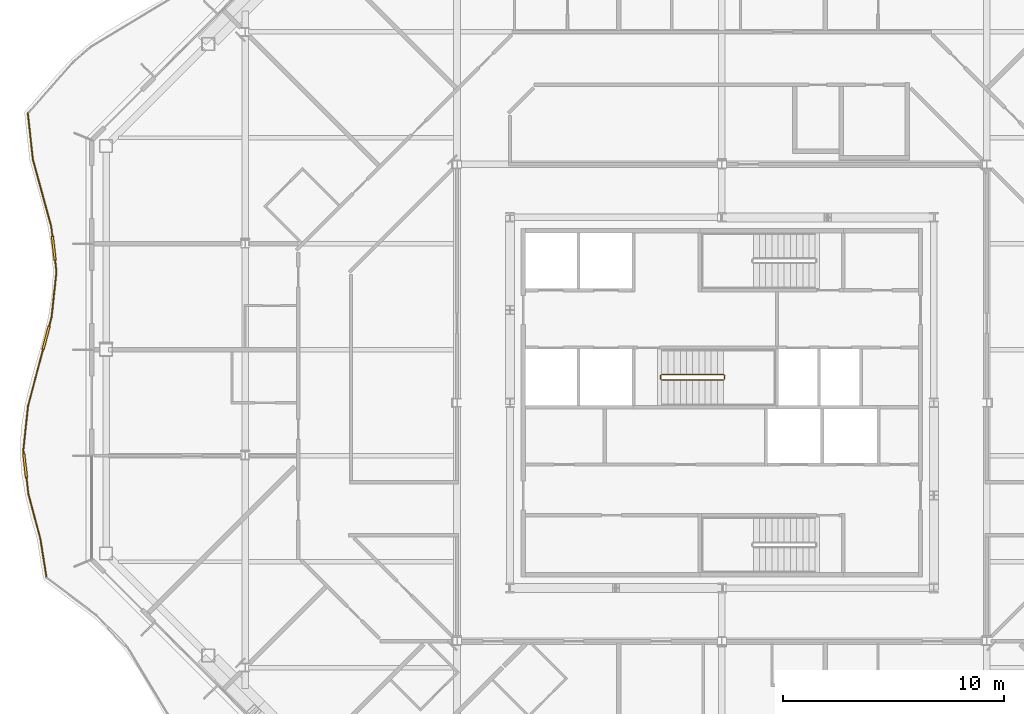
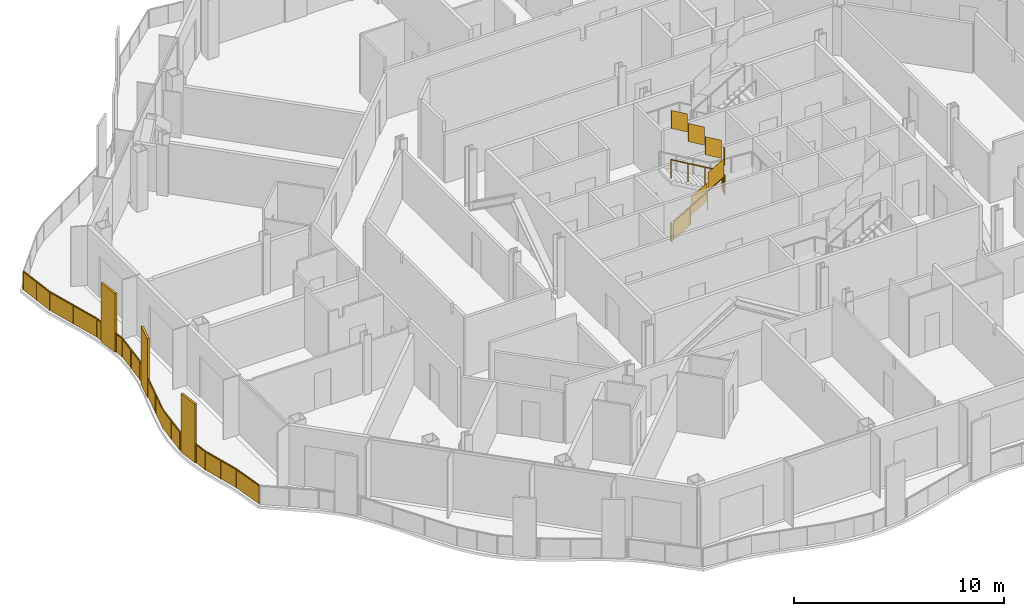
# One storey, part 16 of 21: 3 railings.
"""IFC4 building model written with IfcOpenShell, lengths in metres."""

from ifc_helpers import new_model, si_unit, direction, frame, origin, origin_2d, place, context, subcontext, project, spatial, polyline, rectangle, outline, extrude, material, type_object, element, save


model = new_model("IFC4")

# Units and contexts
model_context = context("Model", 3, precision=1e-05, world=origin(), true_north=direction((0.0, 1.0)))
body_context = subcontext(model_context, "Body", "Model", "MODEL_VIEW")
ifc_project = project(units=[si_unit("LENGTHUNIT", "METRE"), si_unit("AREAUNIT", "SQUARE_METRE"), si_unit("VOLUMEUNIT", "CUBIC_METRE"), si_unit("PLANEANGLEUNIT", "RADIAN"), si_unit("MASSUNIT", "GRAM", prefix="KILO")], contexts=[model_context])

# Site, building, storey
site_placement = place(None, origin())
site = spatial("IfcSite", under=ifc_project, at=site_placement, CompositionType="ELEMENT")
building_placement = place(site_placement, origin())
building = spatial("IfcBuilding", under=site, at=building_placement, Name="Cairn Pilgrim Tower", CompositionType="ELEMENT")
storey_placement = place(building_placement, frame((0.0, 0.0, 154.199951171875)))
storey = spatial("IfcBuildingStorey", under=building, at=storey_placement, Name="L38", CompositionType="ELEMENT", Elevation=154.199951171875)

# Railings
ifc_material_1 = material(Name="Bronze anodised aluminium rail, posts and fin screens with laminated glass infill", Category="aluminium")
railing_type_1 = type_object("IfcRailingType", Name="BALCONY GUARD WITH FIN SCREENS", PredefinedType="GUARDRAIL", material=ifc_material_1)
railing_1_placement = place(storey_placement, frame((-24.24560546875, 15.510986328125, 0.0)))
element("IfcRailing", 1, at=railing_1_placement, inside=storey, type_object=railing_type_1, Name="Balcony guard BGF-7 with fin screens", PredefinedType="GUARDRAIL", context=body_context, shape_type="SweptSolid", body=[
    extrude(rectangle(XDim=0.050048828125, YDim=0.050048828125, at=origin_2d()), frame((0.0, 0.0, 1.0751953125), z_axis=(0.109553527887, -0.993980897466, 0.0), x_axis=(0.993980897466, 0.109553527887, 0.0)), (0.0, 0.0, 1.0), 2.10595703125),
    extrude(rectangle(XDim=0.050048828125, YDim=0.050048828125, at=origin_2d()), frame((0.230712890625, -2.09326171875, 1.0751953125), z_axis=(0.263899558206, -0.964550166232, 0.0), x_axis=(0.964550166232, 0.263899558206, 0.0)), (0.0, 0.0, 1.0), 3.142578125),
    extrude(rectangle(XDim=1.10009765625, YDim=0.110107421875, at=origin_2d()), frame((1.173583984375, -6.109619140625, 0.0), z_axis=(0.0, 0.0, 1.0), x_axis=(0.11457468943, -0.993414636766, 0.0)), (0.0, 0.0, 1.0), 3.39990234375),
    extrude(rectangle(XDim=0.050048828125, YDim=0.050048828125, at=origin_2d()), frame((1.06005859375, -5.12451171875, 1.0751953125), z_axis=(0.11457468943, -0.993414636766, 0.0), x_axis=(0.993414636766, 0.11457468943, 0.0)), (0.0, 0.0, 1.0), 0.441650390625),
    extrude(rectangle(XDim=0.050048828125, YDim=0.050048828125, at=origin_2d()), frame((1.236572265625, -6.656005859375, 1.0751953125), z_axis=(0.11457468943, -0.993414636766, 0.0), x_axis=(0.993414636766, 0.11457468943, 0.0)), (0.0, 0.0, 1.0), 0.52099609375),
    extrude(rectangle(XDim=0.050048828125, YDim=0.050048828125, at=origin_2d()), frame((1.29638671875, -7.173583984375, 1.0751953125), z_axis=(-0.105813476413, -0.994385995582, 0.0), x_axis=(0.994385995582, -0.105813476413, 0.0)), (0.0, 0.0, 1.0), 2.060302734375),
    extrude(rectangle(XDim=1.10009765625, YDim=0.110107421875, at=origin_2d()), frame((0.8291015625, -10.164306640625, 0.0), z_axis=(0.0, 0.0, 1.0), x_axis=(-0.255743304521, -0.966744724419, 0.0)), (0.0, 0.0, 1.0), 3.39990234375),
    extrude(rectangle(XDim=0.050048828125, YDim=0.050048828125, at=origin_2d()), frame((1.078369140625, -9.222412109375, 1.0751953125), z_axis=(-0.255743304521, -0.966744724419, 0.0), x_axis=(0.966744724419, -0.255743304521, 0.0)), (0.0, 0.0, 1.0), 0.42431640625),
    extrude(rectangle(XDim=0.050048828125, YDim=0.050048828125, at=origin_2d()), frame((0.6884765625, -10.696044921875, 1.0751953125), z_axis=(-0.255743304521, -0.966744724419, 0.0), x_axis=(0.966744724419, -0.255743304521, 0.0)), (0.0, 0.0, 1.0), 2.656982421875),
    extrude(rectangle(XDim=0.050048828125, YDim=0.050048828125, at=origin_2d()), frame((0.009033203125, -13.2646484375, 1.0751953125), z_axis=(-0.105965426118, -0.994369814741, 0.0), x_axis=(0.994369814741, -0.105965426118, 0.0)), (0.0, 0.0, 1.0), 2.00439453125),
    extrude(rectangle(XDim=1.10009765625, YDim=0.110107421875, at=origin_2d()), frame((-0.123291015625, -15.953125, 0.0), z_axis=(0.0, 0.0, 1.0), x_axis=(0.114370106332, -0.99343821085, 0.0)), (0.0, 0.0, 1.0), 3.39990234375),
    extrude(rectangle(XDim=0.050048828125, YDim=0.050048828125, at=origin_2d()), frame((-0.203369140625, -15.2578125, 1.0751953125), z_axis=(0.114370106332, -0.99343821085, 0.0), x_axis=(0.99343821085, 0.114370106332, 0.0)), (0.0, 0.0, 1.0), 0.14990234375),
    extrude(rectangle(XDim=0.050048828125, YDim=0.050048828125, at=origin_2d()), frame((-0.060302734375, -16.49951171875, 1.0751953125), z_axis=(0.114370106332, -0.99343821085, 0.0), x_axis=(0.99343821085, 0.114370106332, 0.0)), (0.0, 0.0, 1.0), 0.756591796875),
    extrude(rectangle(XDim=0.050048828125, YDim=0.050048828125, at=origin_2d()), frame((0.026123046875, -17.251220703125, 1.0751953125), z_axis=(0.258942455174, -0.96589275021, 0.0), x_axis=(0.96589275021, 0.258942455174, 0.0)), (0.0, 0.0, 1.0), 2.08935546875),
    extrude(rectangle(XDim=0.050048828125, YDim=0.050048828125, at=origin_2d()), frame((0.567138671875, -19.269287109375, 1.0751953125), z_axis=(0.156697348291, -0.987646668115, 0.0), x_axis=(0.987646668115, 0.156697348291, 0.0)), (0.0, 0.0, 1.0), 1.72314453125),
    extrude(rectangle(XDim=0.050048828125, YDim=0.050048828125, at=origin_2d()), origin(), (0.0, 0.0, 1.0), 1.050048828125),
    extrude(rectangle(XDim=0.050048828125, YDim=0.050048828125, at=origin_2d()), frame((0.115234375, -1.046630859375, 0.0)), (0.0, 0.0, 1.0), 1.050048828125),
    extrude(rectangle(XDim=0.050048828125, YDim=0.050048828125, at=origin_2d()), frame((0.230712890625, -2.09326171875, 0.0)), (0.0, 0.0, 1.0), 1.050048828125),
    extrude(rectangle(XDim=0.050048828125, YDim=0.050048828125, at=origin_2d()), frame((0.6455078125, -3.60888671875, 0.0)), (0.0, 0.0, 1.0), 1.050048828125),
    extrude(rectangle(XDim=0.050048828125, YDim=0.050048828125, at=origin_2d()), frame((1.06005859375, -5.12451171875, 0.0)), (0.0, 0.0, 1.0), 1.050048828125),
    extrude(rectangle(XDim=0.050048828125, YDim=0.050048828125, at=origin_2d()), frame((1.10791015625, -5.538330078125, 0.0)), (0.0, 0.0, 1.0), 1.050048828125),
    extrude(rectangle(XDim=0.050048828125, YDim=0.050048828125, at=origin_2d()), frame((1.239501953125, -6.680908203125, 0.0)), (0.0, 0.0, 1.0), 1.050048828125),
    extrude(rectangle(XDim=0.050048828125, YDim=0.050048828125, at=origin_2d()), frame((1.29638671875, -7.173583984375, 0.0)), (0.0, 0.0, 1.0), 1.050048828125),
    extrude(rectangle(XDim=0.050048828125, YDim=0.050048828125, at=origin_2d()), frame((1.1875, -8.197998046875, 0.0)), (0.0, 0.0, 1.0), 1.050048828125),
    extrude(rectangle(XDim=0.050048828125, YDim=0.050048828125, at=origin_2d()), frame((1.078369140625, -9.222412109375, 0.0)), (0.0, 0.0, 1.0), 1.050048828125),
    extrude(rectangle(XDim=0.050048828125, YDim=0.050048828125, at=origin_2d()), frame((0.976318359375, -9.6083984375, 0.0)), (0.0, 0.0, 1.0), 1.050048828125),
    extrude(rectangle(XDim=0.050048828125, YDim=0.050048828125, at=origin_2d()), frame((0.68212890625, -10.72021484375, 0.0)), (0.0, 0.0, 1.0), 1.050048828125),
    extrude(rectangle(XDim=0.050048828125, YDim=0.050048828125, at=origin_2d()), frame((0.345458984375, -11.992431640625, 0.0)), (0.0, 0.0, 1.0), 1.050048828125),
    extrude(rectangle(XDim=0.050048828125, YDim=0.050048828125, at=origin_2d()), frame((0.009033203125, -13.2646484375, 0.0)), (0.0, 0.0, 1.0), 1.050048828125),
    extrude(rectangle(XDim=0.050048828125, YDim=0.050048828125, at=origin_2d()), frame((-0.09716796875, -14.26123046875, 0.0)), (0.0, 0.0, 1.0), 1.050048828125),
    extrude(rectangle(XDim=0.050048828125, YDim=0.050048828125, at=origin_2d()), frame((-0.203369140625, -15.2578125, 0.0)), (0.0, 0.0, 1.0), 1.050048828125),
    extrude(rectangle(XDim=0.050048828125, YDim=0.050048828125, at=origin_2d()), frame((-0.18896484375, -15.382080078125, 0.0)), (0.0, 0.0, 1.0), 1.050048828125),
    extrude(rectangle(XDim=0.050048828125, YDim=0.050048828125, at=origin_2d()), frame((-0.0576171875, -16.5244140625, 0.0)), (0.0, 0.0, 1.0), 1.050048828125),
    extrude(rectangle(XDim=0.050048828125, YDim=0.050048828125, at=origin_2d()), frame((0.026123046875, -17.251220703125, 0.0)), (0.0, 0.0, 1.0), 1.050048828125),
    extrude(rectangle(XDim=0.050048828125, YDim=0.050048828125, at=origin_2d()), frame((0.296630859375, -18.26025390625, 0.0)), (0.0, 0.0, 1.0), 1.050048828125),
    extrude(rectangle(XDim=0.050048828125, YDim=0.050048828125, at=origin_2d()), frame((0.567138671875, -19.269287109375, 0.0)), (0.0, 0.0, 1.0), 1.050048828125),
    extrude(rectangle(XDim=0.050048828125, YDim=0.050048828125, at=origin_2d()), frame((0.837158203125, -20.97119140625, 0.0)), (0.0, 0.0, 1.0), 1.050048828125),
    extrude(outline(polyline([(0.02490234375, 0.0), (1.02783203125, 0.0), (1.02783203125, 1.050048828125), (0.02490234375, 1.050048828125), (0.02490234375, 0.0)])), frame((0.005859375, 0.000732421875, 0.0), z_axis=(-0.993980897466, -0.109553527887, 0.0), x_axis=(0.109553527887, -0.993980897466, 0.0)), (0.0, 0.0, 1.0), 0.011962890625),
    extrude(outline(polyline([(0.02490234375, 0.0), (1.02783203125, 0.0), (1.02783203125, 1.050048828125), (0.02490234375, 1.050048828125), (0.02490234375, 0.0)])), frame((0.121337890625, -1.0458984375, 0.0), z_axis=(-0.993980897466, -0.109553527887, 0.0), x_axis=(0.109553527887, -0.993980897466, 0.0)), (0.0, 0.0, 1.0), 0.011962890625),
    extrude(outline(polyline([(0.02490234375, 0.0), (1.54638671875, 0.0), (1.54638671875, 1.050048828125), (0.02490234375, 1.050048828125), (0.02490234375, 0.0)])), frame((0.236572265625, -2.091796875, 0.0), z_axis=(-0.964550166232, -0.263899558206, 0.0), x_axis=(0.263899558206, -0.964550166232, 0.0)), (0.0, 0.0, 1.0), 0.011962890625),
    extrude(outline(polyline([(0.02490234375, 0.0), (1.54638671875, 0.0), (1.54638671875, 1.050048828125), (0.02490234375, 1.050048828125), (0.02490234375, 0.0)])), frame((0.651123046875, -3.607421875, 0.0), z_axis=(-0.964550166232, -0.263899558206, 0.0), x_axis=(0.263899558206, -0.964550166232, 0.0)), (0.0, 0.0, 1.0), 0.011962890625),
    extrude(outline(polyline([(0.02490234375, 0.0), (0.3916015625, 0.0), (0.3916015625, 1.050048828125), (0.02490234375, 1.050048828125), (0.02490234375, 0.0)])), frame((1.06591796875, -5.123779296875, 0.0), z_axis=(-0.993414636766, -0.11457468943, 0.0), x_axis=(0.11457468943, -0.993414636766, 0.0)), (0.0, 0.0, 1.0), 0.011962890625),
    extrude(outline(polyline([(0.02490234375, 0.0), (0.470947265625, 0.0), (0.470947265625, 1.050048828125), (0.02490234375, 1.050048828125), (0.02490234375, 0.0)])), frame((1.24560546875, -6.68017578125, 0.0), z_axis=(-0.993414636766, -0.11457468943, 0.0), x_axis=(0.11457468943, -0.993414636766, 0.0)), (0.0, 0.0, 1.0), 0.011962890625),
    extrude(outline(polyline([(0.02490234375, 0.0), (1.005126953125, 0.0), (1.005126953125, 1.050048828125), (0.02490234375, 1.050048828125), (0.02490234375, 0.0)])), frame((1.30224609375, -7.17431640625, 0.0), z_axis=(-0.994385995582, 0.105813476413, 0.0), x_axis=(-0.105813476413, -0.994385995582, 0.0)), (0.0, 0.0, 1.0), 0.011962890625),
    extrude(outline(polyline([(0.02490234375, 0.0), (1.005126953125, 0.0), (1.005126953125, 1.050048828125), (0.02490234375, 1.050048828125), (0.02490234375, 0.0)])), frame((1.193359375, -8.19873046875, 0.0), z_axis=(-0.994385995582, 0.105813476413, 0.0), x_axis=(-0.105813476413, -0.994385995582, 0.0)), (0.0, 0.0, 1.0), 0.011962890625),
    extrude(outline(polyline([(0.02490234375, 0.0), (0.374267578125, 0.0), (0.374267578125, 1.050048828125), (0.02490234375, 1.050048828125), (0.02490234375, 0.0)])), frame((1.084228515625, -9.223876953125, 0.0), z_axis=(-0.966744724419, 0.255743304521, 0.0), x_axis=(-0.255743304521, -0.966744724419, 0.0)), (0.0, 0.0, 1.0), 0.011962890625),
    extrude(outline(polyline([(0.02490234375, 0.0), (1.291015625, 0.0), (1.291015625, 1.050048828125), (0.02490234375, 1.050048828125), (0.02490234375, 0.0)])), frame((0.68798828125, -10.7216796875, 0.0), z_axis=(-0.966744724419, 0.255743304521, 0.0), x_axis=(-0.255743304521, -0.966744724419, 0.0)), (0.0, 0.0, 1.0), 0.011962890625),
    extrude(outline(polyline([(0.02490234375, 0.0), (1.291015625, 0.0), (1.291015625, 1.050048828125), (0.02490234375, 1.050048828125), (0.02490234375, 0.0)])), frame((0.351318359375, -11.993896484375, 0.0), z_axis=(-0.966744724419, 0.255743304521, 0.0), x_axis=(-0.255743304521, -0.966744724419, 0.0)), (0.0, 0.0, 1.0), 0.011962890625),
    extrude(outline(polyline([(0.02490234375, 0.0), (0.977294921875, 0.0), (0.977294921875, 1.050048828125), (0.02490234375, 1.050048828125), (0.02490234375, 0.0)])), frame((0.014892578125, -13.265380859375, 0.0), z_axis=(-0.994369814741, 0.105965426118, 0.0), x_axis=(-0.105965426118, -0.994369814741, 0.0)), (0.0, 0.0, 1.0), 0.011962890625),
    extrude(outline(polyline([(0.02490234375, 0.0), (0.977294921875, 0.0), (0.977294921875, 1.050048828125), (0.02490234375, 1.050048828125), (0.02490234375, 0.0)])), frame((-0.09130859375, -14.261962890625, 0.0), z_axis=(-0.994369814741, 0.105965426118, 0.0), x_axis=(-0.105965426118, -0.994369814741, 0.0)), (0.0, 0.0, 1.0), 0.011962890625),
    extrude(outline(polyline([(0.02490234375, 0.0), (0.099853515625, 0.0), (0.099853515625, 1.050048828125), (0.02490234375, 1.050048828125), (0.02490234375, 0.0)])), frame((-0.197509765625, -15.257080078125, 0.0), z_axis=(-0.99343821085, -0.114370106332, 0.0), x_axis=(0.114370106332, -0.99343821085, 0.0)), (0.0, 0.0, 1.0), 0.011962890625),
    extrude(outline(polyline([(0.02490234375, 0.0), (0.70654296875, 0.0), (0.70654296875, 1.050048828125), (0.02490234375, 1.050048828125), (0.02490234375, 0.0)])), frame((-0.051513671875, -16.52392578125, 0.0), z_axis=(-0.99343821085, -0.114370106332, 0.0), x_axis=(0.114370106332, -0.99343821085, 0.0)), (0.0, 0.0, 1.0), 0.011962890625),
    extrude(outline(polyline([(0.02490234375, 0.0), (1.01953125, 0.0), (1.01953125, 1.050048828125), (0.02490234375, 1.050048828125), (0.02490234375, 0.0)])), frame((0.031982421875, -17.249755859375, 0.0), z_axis=(-0.96589275021, -0.258942455174, 0.0), x_axis=(0.258942455174, -0.96589275021, 0.0)), (0.0, 0.0, 1.0), 0.011962890625),
    extrude(outline(polyline([(0.02490234375, 0.0), (1.01953125, 0.0), (1.01953125, 1.050048828125), (0.02490234375, 1.050048828125), (0.02490234375, 0.0)])), frame((0.302490234375, -18.2587890625, 0.0), z_axis=(-0.96589275021, -0.258942455174, 0.0), x_axis=(0.258942455174, -0.96589275021, 0.0)), (0.0, 0.0, 1.0), 0.011962890625),
    extrude(outline(polyline([(0.02490234375, 0.0), (1.6982421875, 0.0), (1.6982421875, 1.050048828125), (0.02490234375, 1.050048828125), (0.02490234375, 0.0)])), frame((0.572998046875, -19.268310546875, 0.0), z_axis=(-0.987646668115, -0.156697348291, 0.0), x_axis=(0.156697348291, -0.987646668115, 0.0)), (0.0, 0.0, 1.0), 0.011962890625),
])
ifc_material_2 = material(Name="Painted steel", Category="steel")
railing_type_2 = type_object("IfcRailingType", Name="STAIR GUARD 1100", PredefinedType="GUARDRAIL", material=ifc_material_2)
railing_2_placement = place(storey_placement, frame((4.47509765625, 3.425048828125, 0.16357421875)))
element("IfcRailing", 2, at=railing_2_placement, inside=storey, type_object=railing_type_2, Name="L38 ST-B stair guard 1", PredefinedType="GUARDRAIL", context=body_context, shape_type="SweptSolid", body=[
    extrude(rectangle(XDim=0.048095703125, YDim=0.048095703125, at=origin_2d()), frame((0.0, 0.0, 1.076171875), z_axis=(0.863341702679, 0.0, 0.504619762213), x_axis=(0.0, 1.0, 0.0)), (0.0, 0.0, 1.0), 3.242919921875),
    extrude(rectangle(XDim=0.048095703125, YDim=0.048095703125, at=origin_2d()), frame((2.7998046875, 0.0, 2.71240234375), z_axis=(0.707106781187, 0.707106781187, 0.0), x_axis=(-0.707106781187, 0.707106781187, 0.0)), (0.0, 0.0, 1.0), 0.07080078125),
    extrude(rectangle(XDim=0.048095703125, YDim=0.048095703125, at=origin_2d()), frame((2.849853515625, 0.050048828125, 2.71240234375), z_axis=(0.0, 1.0, 0.0), x_axis=(-1.0, 0.0, 0.0)), (0.0, 0.0, 1.0), 0.14990234375),
    extrude(rectangle(XDim=0.048095703125, YDim=0.048095703125, at=origin_2d()), frame((2.849853515625, 0.199951171875, 2.71240234375), z_axis=(-0.280808744504, 0.280808744504, 0.917765164963), x_axis=(-0.707106781187, -0.707106781187, 0.0)), (0.0, 0.0, 1.0), 0.17822265625),
    extrude(rectangle(XDim=0.048095703125, YDim=0.048095703125, at=origin_2d()), frame((2.7998046875, 0.25, 2.8759765625), z_axis=(-0.863341702679, 0.0, 0.504619762213), x_axis=(0.0, -1.0, 0.0)), (0.0, 0.0, 1.0), 3.242919921875),
    extrude(rectangle(XDim=0.0419921875, YDim=0.0419921875, at=origin_2d()), origin(), (0.0, 0.0, 1.0), 1.052001953125),
    extrude(rectangle(XDim=0.0419921875, YDim=0.0419921875, at=origin_2d()), frame((0.933349609375, 0.0, 0.54541015625)), (0.0, 0.0, 1.0), 1.052001953125),
    extrude(rectangle(XDim=0.0419921875, YDim=0.0419921875, at=origin_2d()), frame((1.866455078125, 0.0, 1.091064453125)), (0.0, 0.0, 1.0), 1.052001953125),
    extrude(rectangle(XDim=0.0419921875, YDim=0.0419921875, at=origin_2d()), frame((2.7998046875, 0.0, 1.636474609375)), (0.0, 0.0, 1.0), 1.052001953125),
    extrude(rectangle(XDim=0.0419921875, YDim=0.0419921875, at=origin_2d()), frame((2.849853515625, 0.050048828125, 1.636474609375)), (0.0, 0.0, 1.0), 1.052001953125),
    extrude(rectangle(XDim=0.0419921875, YDim=0.0419921875, at=origin_2d()), frame((2.849853515625, 0.199951171875, 1.636474609375)), (0.0, 0.0, 1.0), 1.052001953125),
    extrude(rectangle(XDim=0.0419921875, YDim=0.0419921875, at=origin_2d()), frame((2.7998046875, 0.25, 1.800048828125)), (0.0, 0.0, 1.0), 1.052001953125),
    extrude(rectangle(XDim=0.0419921875, YDim=0.0419921875, at=origin_2d()), frame((1.866455078125, 0.25, 2.345458984375)), (0.0, 0.0, 1.0), 1.052001953125),
    extrude(rectangle(XDim=0.0419921875, YDim=0.0419921875, at=origin_2d()), frame((0.933349609375, 0.25, 2.89111328125)), (0.0, 0.0, 1.0), 1.052001953125),
    extrude(rectangle(XDim=0.0419921875, YDim=0.0419921875, at=origin_2d()), frame((0.0, 0.25, 3.4365234375)), (0.0, 0.0, 1.0), 1.052001953125),
    extrude(outline(polyline([(0.02099609375, 0.01220703125), (0.912353515625, 0.533203125), (0.912353515625, 1.585205078125), (0.02099609375, 1.064208984375), (0.02099609375, 0.01220703125)])), frame((0.0, 0.005859375, 0.0), z_axis=(0.0, -1.0, 0.0), x_axis=(1.0, 0.0, 0.0)), (0.0, 0.0, 1.0), 0.011962890625),
    extrude(outline(polyline([(0.02099609375, 0.557861328125), (0.912353515625, 1.07861328125), (0.912353515625, 2.130615234375), (0.02099609375, 1.60986328125), (0.02099609375, 0.557861328125)])), frame((0.933349609375, 0.005859375, 0.54541015625), z_axis=(0.0, -1.0, 0.0), x_axis=(1.0, 0.0, 0.0)), (0.0, 0.0, 1.0), 0.011962890625),
    extrude(outline(polyline([(0.02099609375, 1.103271484375), (0.912353515625, 1.624267578125), (0.912353515625, 2.67626953125), (0.02099609375, 2.1552734375), (0.02099609375, 1.103271484375)])), frame((1.866455078125, 0.005859375, 1.091064453125), z_axis=(0.0, -1.0, 0.0), x_axis=(1.0, 0.0, 0.0)), (0.0, 0.0, 1.0), 0.011962890625),
    extrude(outline(polyline([(0.02099609375, 1.636474609375), (0.12890625, 1.636474609375), (0.12890625, 2.6884765625), (0.02099609375, 2.6884765625), (0.02099609375, 1.636474609375)])), frame((2.84375, 0.050048828125, 1.636474609375), z_axis=(1.0, 0.0, 0.0), x_axis=(0.0, 1.0, 0.0)), (0.0, 0.0, 1.0), 0.011962890625),
    extrude(outline(polyline([(0.02099609375, 1.812255859375), (0.912353515625, 2.333251953125), (0.912353515625, 3.38525390625), (0.02099609375, 2.8642578125), (0.02099609375, 1.812255859375)])), frame((2.7998046875, 0.244140625, 1.800048828125), z_axis=(0.0, 1.0, 0.0), x_axis=(-1.0, 0.0, 0.0)), (0.0, 0.0, 1.0), 0.011962890625),
    extrude(outline(polyline([(0.02099609375, 2.35791015625), (0.912353515625, 2.878662109375), (0.912353515625, 3.9306640625), (0.02099609375, 3.409912109375), (0.02099609375, 2.35791015625)])), frame((1.866455078125, 0.244140625, 2.345458984375), z_axis=(0.0, 1.0, 0.0), x_axis=(-1.0, 0.0, 0.0)), (0.0, 0.0, 1.0), 0.011962890625),
    extrude(outline(polyline([(0.02099609375, 2.9033203125), (0.912353515625, 3.42431640625), (0.912353515625, 4.476318359375), (0.02099609375, 3.955322265625), (0.02099609375, 2.9033203125)])), frame((0.933349609375, 0.244140625, 2.89111328125), z_axis=(0.0, 1.0, 0.0), x_axis=(-1.0, 0.0, 0.0)), (0.0, 0.0, 1.0), 0.011962890625),
])
railing_3_placement = place(storey_placement, frame((4.425048828125, 3.47509765625, 0.0)))
element("IfcRailing", 3, at=railing_3_placement, inside=storey, type_object=railing_type_2, Name="L38 ST-B stair guard 2", PredefinedType="GUARDRAIL", context=body_context, shape_type="SweptSolid", body=[
    extrude(rectangle(XDim=0.048095703125, YDim=0.048095703125, at=origin_2d()), frame((0.0, 0.0, 1.076171875), z_axis=(0.0, 1.0, 0.0), x_axis=(-1.0, 0.0, 0.0)), (0.0, 0.0, 1.0), 0.14990234375),
    extrude(rectangle(XDim=0.0419921875, YDim=0.0419921875, at=origin_2d()), origin(), (0.0, 0.0, 1.0), 1.052001953125),
    extrude(rectangle(XDim=0.0419921875, YDim=0.0419921875, at=origin_2d()), frame((0.0, 0.14990234375, 0.0)), (0.0, 0.0, 1.0), 1.052001953125),
    extrude(outline(polyline([(0.02099609375, 0.0), (0.12890625, 0.0), (0.12890625, 1.052001953125), (0.02099609375, 1.052001953125), (0.02099609375, 0.0)])), frame((-0.005859375, 0.0, 0.0), z_axis=(1.0, 0.0, 0.0), x_axis=(0.0, 1.0, 0.0)), (0.0, 0.0, 1.0), 0.011962890625),
])

save(model, "model.ifc")
